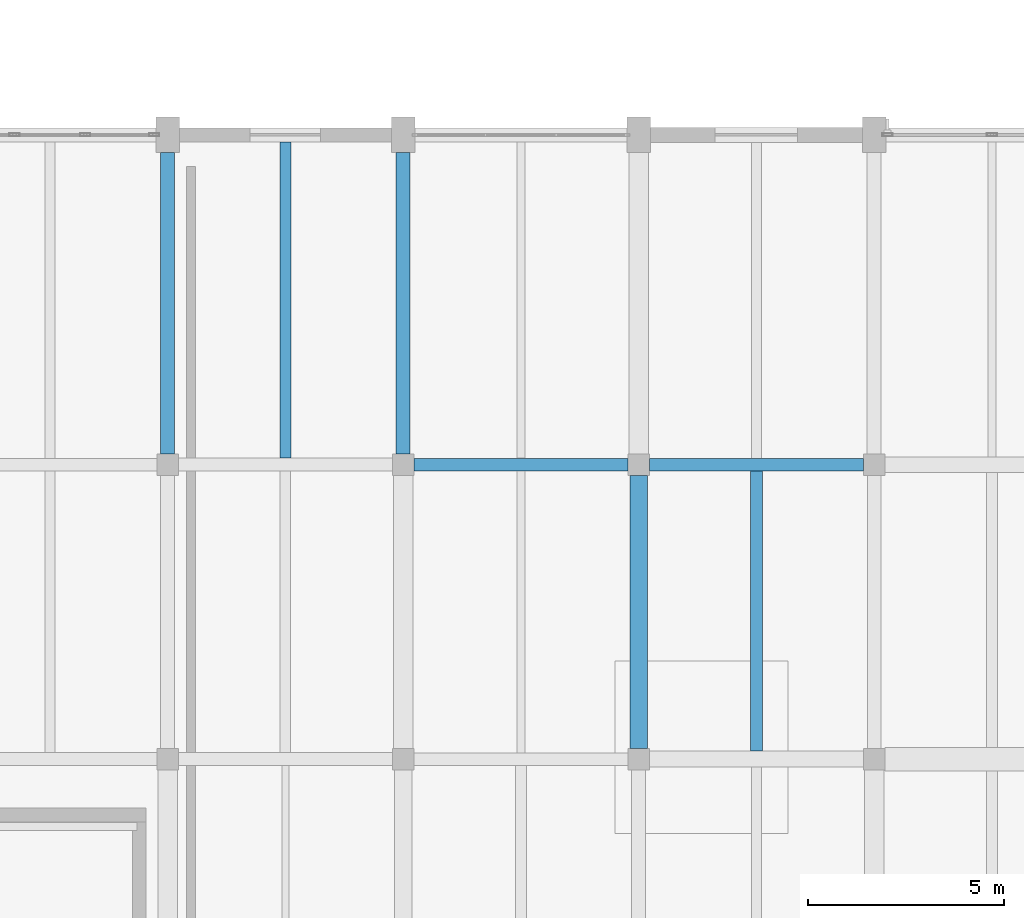
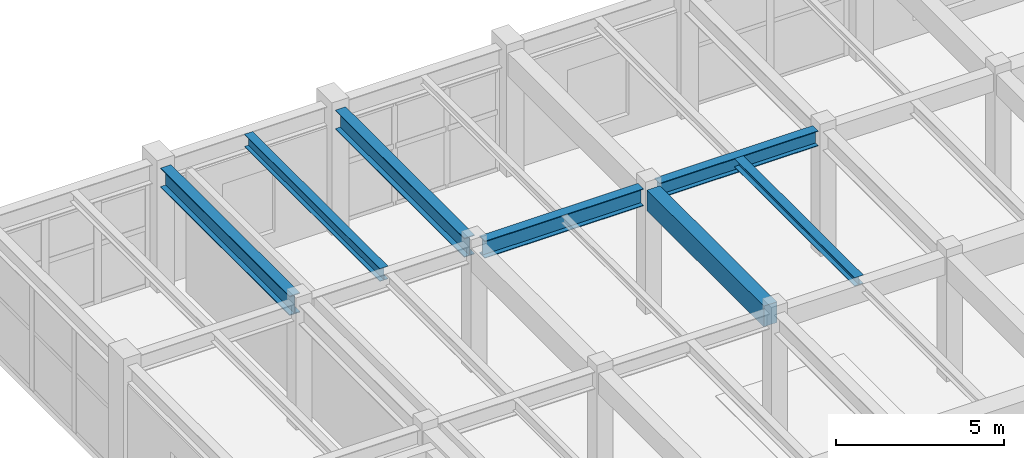
# One storey, part 37 of 96: 7 beams.
"""IFC4 building model written with IfcOpenShell, lengths in metres."""

from ifc_helpers import new_model, si_unit, direction, frame, origin, origin_2d, place, context, subcontext, project, spatial, rectangle, i_section, extrude, material, material_profile, profile_set, type_object, element, save


model = new_model("IFC4")

# Units and contexts
model_context = context("Model", 3, precision=1e-05, world=origin(), true_north=direction((0.0, 1.0)))
body_context = subcontext(model_context, "Body", "Model", "MODEL_VIEW")
ifc_project = project(units=[si_unit("LENGTHUNIT", "METRE"), si_unit("AREAUNIT", "SQUARE_METRE"), si_unit("VOLUMEUNIT", "CUBIC_METRE"), si_unit("PLANEANGLEUNIT", "RADIAN"), si_unit("MASSUNIT", "GRAM", prefix="KILO")], contexts=[model_context])

# Site, building, storey
site_placement = place(None, origin())
site = spatial("IfcSite", under=ifc_project, at=site_placement, CompositionType="ELEMENT")
building_placement = place(site_placement, origin())
building = spatial("IfcBuilding", under=site, at=building_placement, Name="Vaelkrest Opera House", CompositionType="ELEMENT")
storey_placement = place(building_placement, frame((0.0, 0.0, 5.39990234375)))
storey = spatial("IfcBuildingStorey", under=building, at=storey_placement, Name="L01", CompositionType="ELEMENT", Elevation=5.39990234375)

# Beams
ifc_material_1 = material(Name="Concrete C50/60", Category="concrete")
ifc_material_profile_1 = material_profile(ifc_material_1, rectangle(XDim=0.449951171875, YDim=0.75, at=origin_2d()), Name="RCB450X750")
ifc_profile_set_1 = profile_set([ifc_material_profile_1], Name="Concrete C50/60")
beam_type_1 = type_object("IfcBeamType", Name="B02", PredefinedType="BEAM", material=ifc_profile_set_1)
beam_1_placement = place(storey_placement, frame((-57.60009765625, 17.97509765625, 4.125), z_axis=(0.0, 1.0, 0.0), x_axis=(-1.0, 0.0, 0.0)))
element("IfcBeam", 1, at=beam_1_placement, inside=storey, type_object=beam_type_1, Name="Beam BM-V3-L01-1567", PredefinedType="BEAM", context=body_context, shape_type="SweptSolid", body=[
    extrude(rectangle(XDim=0.449951171875, YDim=0.75, at=origin_2d()), origin(), (0.0, 0.0, 1.0), 6.949951171875),
])
ifc_material_2 = material(Name="Steel A992 Gr50", Category="steel")
ifc_material_profile_2 = material_profile(ifc_material_2, i_section(OverallWidth=0.35498046875, OverallDepth=0.695068359375, WebThickness=0.015380859375, FlangeThickness=0.02490234375, at=origin_2d()), Name="W27X146")
ifc_profile_set_2 = profile_set([ifc_material_profile_2], Name="Steel A992 Gr50")
beam_type_2 = type_object("IfcBeamType", Name="B10", PredefinedType="BEAM", material=ifc_profile_set_2)
beam_2_placement = place(storey_placement, frame((-63.60009765625, 25.47509765625, 4.152587890625), z_axis=(0.0, 1.0, 0.0), x_axis=(-1.0, 0.0, 0.0)))
element("IfcBeam", 2, at=beam_2_placement, inside=storey, type_object=beam_type_2, Name="Beam BM-V3-L01-1565", PredefinedType="BEAM", context=body_context, shape_type="SweptSolid", body=[
    extrude(i_section(OverallWidth=0.35498046875, OverallDepth=0.695068359375, WebThickness=0.015380859375, FlangeThickness=0.02490234375, at=origin_2d()), origin(), (0.0, 0.0, 1.0), 7.6748046875),
])
ifc_material_profile_3 = material_profile(ifc_material_2, i_section(OverallWidth=0.35791015625, OverallDepth=0.7060546875, WebThickness=0.018310546875, FlangeThickness=0.0302734375, at=origin_2d()), Name="W27X178")
ifc_profile_set_3 = profile_set([ifc_material_profile_3], Name="Steel A992 Gr50")
beam_type_3 = type_object("IfcBeamType", Name="B14", PredefinedType="BEAM", material=ifc_profile_set_3)
beam_3_placement = place(storey_placement, frame((-69.60009765625, 25.47509765625, 4.147216796875), z_axis=(0.0, 1.0, 0.0), x_axis=(-1.0, 0.0, 0.0)))
element("IfcBeam", 3, at=beam_3_placement, inside=storey, type_object=beam_type_3, Name="Beam BM-V3-L01-1562", PredefinedType="BEAM", context=body_context, shape_type="SweptSolid", body=[
    extrude(i_section(OverallWidth=0.35791015625, OverallDepth=0.7060546875, WebThickness=0.018310546875, FlangeThickness=0.0302734375, at=origin_2d()), origin(), (0.0, 0.0, 1.0), 7.6748046875),
])
ifc_material_profile_4 = material_profile(ifc_material_2, i_section(OverallWidth=0.326904296875, OverallDepth=0.6220703125, WebThickness=0.015380859375, FlangeThickness=0.0244140625, at=origin_2d()), Name="W24X131")
ifc_profile_set_4 = profile_set([ifc_material_profile_4], Name="Steel A992 Gr50")
beam_type_4 = type_object("IfcBeamType", Name="B19", PredefinedType="BEAM", material=ifc_profile_set_4)
beam_4_placement = place(storey_placement, frame((-63.324951171875, 25.199951171875, 4.189208984375), z_axis=(1.0, 0.0, 0.0), x_axis=(0.0, 1.0, 0.0)))
element("IfcBeam", 4, at=beam_4_placement, inside=storey, type_object=beam_type_4, Name="Beam BM-V3-L01-1539", PredefinedType="BEAM", context=body_context, shape_type="SweptSolid", body=[
    extrude(i_section(OverallWidth=0.326904296875, OverallDepth=0.6220703125, WebThickness=0.015380859375, FlangeThickness=0.0244140625, at=origin_2d()), origin(), (0.0, 0.0, 1.0), 5.449951171875),
])
ifc_material_profile_5 = material_profile(ifc_material_2, i_section(OverallWidth=0.31494140625, OverallDepth=0.551025390625, WebThickness=0.01513671875, FlangeThickness=0.0244140625, at=origin_2d()), Name="W21X122")
ifc_profile_set_5 = profile_set([ifc_material_profile_5], Name="Steel A992 Gr50")
beam_type_5 = type_object("IfcBeamType", Name="B20", PredefinedType="BEAM", material=ifc_profile_set_5)
beam_5_placement = place(storey_placement, frame((-57.324951171875, 25.199951171875, 4.224609375), z_axis=(1.0, 0.0, 0.0), x_axis=(0.0, 1.0, 0.0)))
element("IfcBeam", 5, at=beam_5_placement, inside=storey, type_object=beam_type_5, Name="Beam BM-V3-L01-1540", PredefinedType="BEAM", context=body_context, shape_type="SweptSolid", body=[
    extrude(i_section(OverallWidth=0.31494140625, OverallDepth=0.551025390625, WebThickness=0.01513671875, FlangeThickness=0.0244140625, at=origin_2d()), origin(), (0.0, 0.0, 1.0), 5.449951171875),
])
ifc_material_profile_6 = material_profile(ifc_material_2, i_section(OverallWidth=0.304931640625, OverallDepth=0.30810546875, WebThickness=0.010009765625, FlangeThickness=0.015380859375, at=origin_2d()), Name="W12X65")
ifc_profile_set_6 = profile_set([ifc_material_profile_6], Name="Steel A992 Gr50")
beam_type_6 = type_object("IfcBeamType", Name="J04", PredefinedType="JOIST", material=ifc_profile_set_6)
beam_6_placement = place(storey_placement, frame((-54.60009765625, 17.89990234375, 4.34619140625), z_axis=(0.0, 1.0, 0.0), x_axis=(-1.0, 0.0, 0.0)))
element("IfcBeam", 6, at=beam_6_placement, inside=storey, type_object=beam_type_6, Name="Floor joist JST-V3-L01-1604", PredefinedType="JOIST", context=body_context, shape_type="SweptSolid", body=[
    extrude(i_section(OverallWidth=0.304931640625, OverallDepth=0.30810546875, WebThickness=0.010009765625, FlangeThickness=0.015380859375, at=origin_2d()), origin(), (0.0, 0.0, 1.0), 7.142578125),
])
ifc_material_profile_7 = material_profile(ifc_material_2, i_section(OverallWidth=0.280029296875, OverallDepth=0.462890625, WebThickness=0.0107421875, FlangeThickness=0.017333984375, at=origin_2d()), Name="W18X76")
ifc_profile_set_7 = profile_set([ifc_material_profile_7], Name="Steel A992 Gr50")
beam_type_7 = type_object("IfcBeamType", Name="J09", PredefinedType="JOIST", material=ifc_profile_set_7)
beam_7_placement = place(storey_placement, frame((-66.60009765625, 25.364013671875, 4.2685546875), z_axis=(0.0, 1.0, 0.0), x_axis=(-1.0, 0.0, 0.0)))
element("IfcBeam", 7, at=beam_7_placement, inside=storey, type_object=beam_type_7, Name="Floor joist JST-V3-L01-1599", PredefinedType="JOIST", context=body_context, shape_type="SweptSolid", body=[
    extrude(i_section(OverallWidth=0.280029296875, OverallDepth=0.462890625, WebThickness=0.0107421875, FlangeThickness=0.017333984375, at=origin_2d()), origin(), (0.0, 0.0, 1.0), 8.05859375),
])

save(model, "model.ifc")
